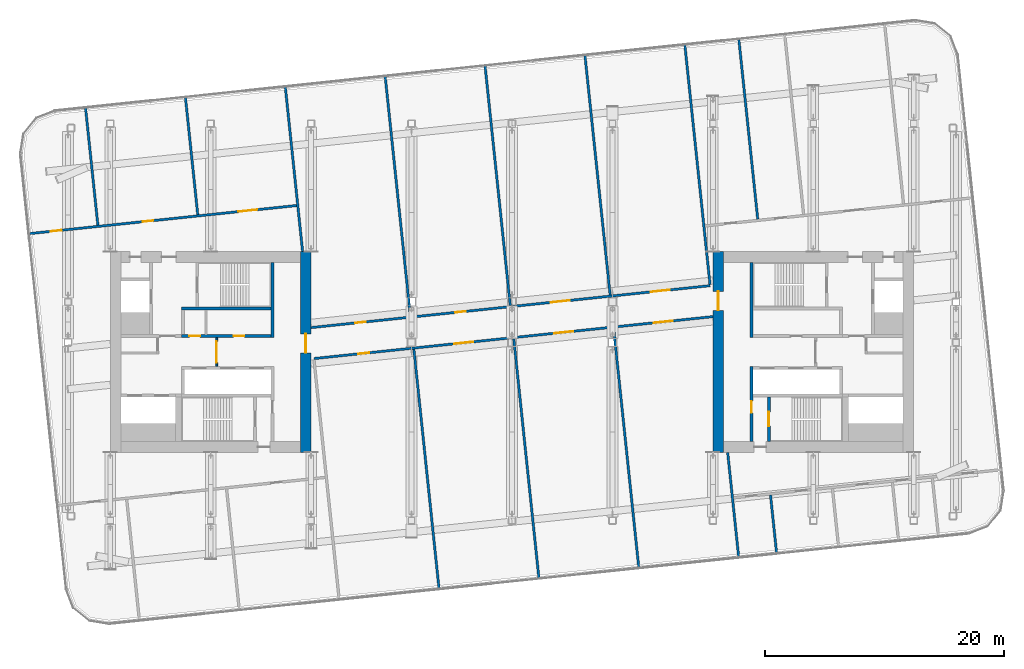
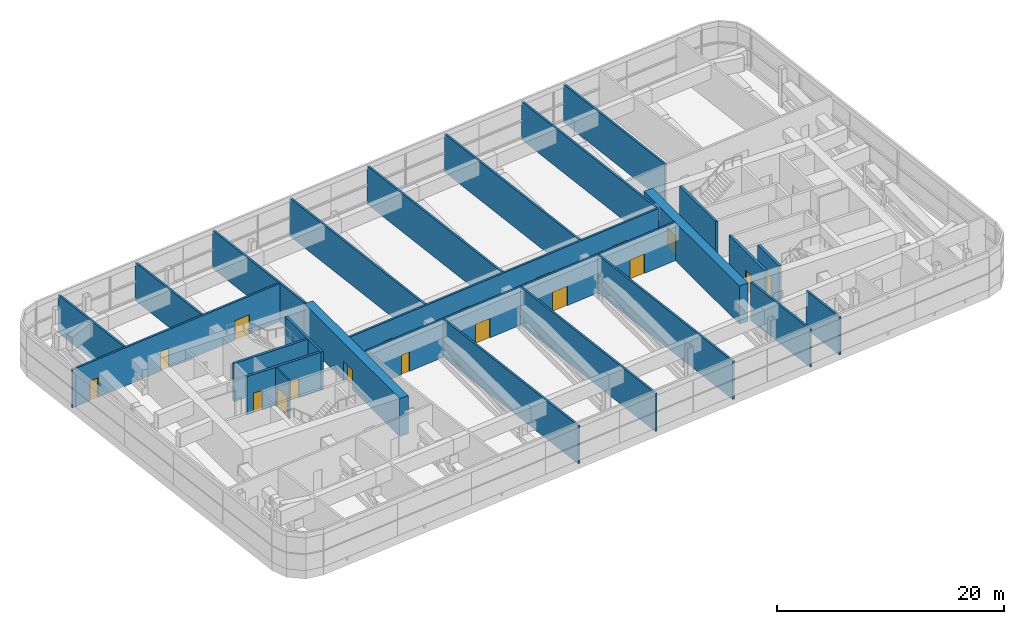
# One storey, part 17 of 33: 25 walls, 18 doors, 18 openings.
"""IFC4 building model written with IfcOpenShell, lengths in metres."""

from ifc_helpers import new_model, si_unit, direction, frame, frame_2d, origin, place, context, subcontext, project, spatial, rectangle, extrude, material, layer, layer_set, type_object, element, fill, save


model = new_model("IFC4")

# Units and contexts
model_context = context("Model", 3, precision=1e-05, world=origin(), true_north=direction((0.0, 1.0)))
body_context = subcontext(model_context, "Body", "Model", "MODEL_VIEW")
ifc_project = project(units=[si_unit("LENGTHUNIT", "METRE"), si_unit("AREAUNIT", "SQUARE_METRE"), si_unit("VOLUMEUNIT", "CUBIC_METRE"), si_unit("PLANEANGLEUNIT", "RADIAN"), si_unit("MASSUNIT", "GRAM", prefix="KILO")], contexts=[model_context])

# Site, building, storey
site_placement = place(None, origin())
site = spatial("IfcSite", under=ifc_project, at=site_placement, CompositionType="ELEMENT")
building_placement = place(site_placement, origin())
building = spatial("IfcBuilding", under=site, at=building_placement, Name="Hakoniwa Tower and Hamabe Station Hall", CompositionType="ELEMENT")
storey_placement = place(building_placement, frame((0.0, 0.0, 228.199951171875)))
storey = spatial("IfcBuildingStorey", under=building, at=storey_placement, Name="L65", CompositionType="ELEMENT", Elevation=228.199951171875)

# Wall, opening, door
ifc_material_1 = material(Name="Gypsum board partition")
ifc_layer_1 = layer(ifc_material_1, 0.14990234375)
ifc_layer_set_1 = layer_set([ifc_layer_1], Name="CORE PARTITION 150 EI 60")
wall_type_1 = type_object("IfcWallType", Name="CORE PARTITION 150 EI 60", PredefinedType="PARTITIONING", material=ifc_layer_set_1)
wall_1_placement = place(storey_placement, frame((-24.699951171875, -1.199951171875, 0.0), z_axis=(0.0, 0.0, 1.0), x_axis=(0.0, 1.0, 0.0)))
wall_1 = element("IfcWall", 1, at=wall_1_placement, inside=storey, type_object=wall_type_1, Name="Core partition PL0 west", PredefinedType="PARTITIONING", context=body_context, shape_type="SweptSolid", body=[
    extrude(rectangle(XDim=2.39990234375, YDim=0.14990234375, at=frame_2d((1.199951171875, 0.0))), origin(), (0.0, 0.0, 1.0), 4.10009765625),
])
opening_1_placement = place(wall_1_placement, frame((0.300048828125, 0.0, 0.0)))
opening_1 = element("IfcOpeningElement", 2, at=opening_1_placement, cuts=wall_1, Name="Opening CD-W-LP0-18", PredefinedType="OPENING", context=body_context, shape_type="SweptSolid", body=[
    extrude(rectangle(XDim=1.800048828125, YDim=2.10009765625, at=frame_2d((0.89990234375, 1.050048828125))), frame((0.0, 0.0849609375, 0.0), z_axis=(0.0, -1.0, 0.0), x_axis=(1.0, 0.0, 0.0)), (0.0, 0.0, 1.0), 0.169921875),
])
ifc_material_2 = material(Name="Steel fire door", Category="steel")
door_type_1 = type_object("IfcDoorType", Name="CORE DOOR 1800 FD60", OperationType="DOUBLE_DOOR_SINGLE_SWING", PredefinedType="DOOR", material=ifc_material_2)
door_1_placement = place(opening_1_placement, origin())
door_1 = element("IfcDoor", 3, at=door_1_placement, inside=storey, type_object=door_type_1, Name="Lift lobby partition door", OperationType="DOUBLE_DOOR_SINGLE_SWING", OverallHeight=2.10009765625, OverallWidth=1.800048828125, PredefinedType="DOOR", context=body_context, shape_type="SweptSolid", body=[
    extrude(rectangle(XDim=1.800048828125, YDim=2.10009765625, at=frame_2d((0.89990234375, 1.050048828125))), frame((0.0, 0.02490234375, 0.0), z_axis=(0.0, -1.0, 0.0), x_axis=(1.0, 0.0, 0.0)), (0.0, 0.0, 1.0), 0.050048828125),
])
fill(opening_1, door_1)

ifc_material_3 = material(Name="Concrete C60", Category="concrete")
ifc_layer_2 = layer(ifc_material_3, 0.89990234375)
ifc_layer_set_2 = layer_set([ifc_layer_2], Name="CORE WALL 900 C60")
wall_type_2 = type_object("IfcWallType", Name="CORE WALL 900 C60", PredefinedType="SHEAR", material=ifc_layer_set_2)
wall_2_placement = place(storey_placement, frame((-17.25, -8.39990234375, 0.0), z_axis=(0.0, 0.0, 1.0), x_axis=(0.0, 1.0, 0.0)))
wall_2 = element("IfcWall", 4, at=wall_2_placement, inside=storey, type_object=wall_type_2, Name="Core wall INNER west", PredefinedType="SHEAR", context=body_context, shape_type="SweptSolid", body=[
    extrude(rectangle(XDim=16.7998046875, YDim=0.89990234375, at=frame_2d((8.39990234375, 0.0))), origin(), (0.0, 0.0, 1.0), 4.10009765625),
])
opening_2_placement = place(wall_2_placement, frame((8.321044921875, 0.0, 0.0)))
opening_2 = element("IfcOpeningElement", 5, at=opening_2_placement, cuts=wall_2, Name="Opening CD-W-IN1-16", PredefinedType="OPENING", context=body_context, shape_type="SweptSolid", body=[
    extrude(rectangle(XDim=1.60009765625, YDim=2.10009765625, at=frame_2d((0.800048828125, 1.050048828125))), frame((0.0, 0.4599609375, 0.0), z_axis=(0.0, -1.0, 0.0), x_axis=(1.0, 0.0, 0.0)), (0.0, 0.0, 1.0), 0.919921875),
])
ifc_material_4 = material(Name="Steel fire door", Category="steel")
door_type_2 = type_object("IfcDoorType", Name="CORE DOOR 1600 FD60", OperationType="DOUBLE_DOOR_SINGLE_SWING", PredefinedType="DOOR", material=ifc_material_4)
door_2_placement = place(opening_2_placement, origin())
door_2 = element("IfcDoor", 6, at=door_2_placement, inside=storey, type_object=door_type_2, Name="Lift lobby door", OperationType="DOUBLE_DOOR_SINGLE_SWING", OverallHeight=2.10009765625, OverallWidth=1.60009765625, PredefinedType="DOOR", context=body_context, shape_type="SweptSolid", body=[
    extrude(rectangle(XDim=1.60009765625, YDim=2.10009765625, at=frame_2d((0.800048828125, 1.050048828125))), frame((0.0, 0.02490234375, 0.0), z_axis=(0.0, -1.0, 0.0), x_axis=(1.0, 0.0, 0.0)), (0.0, 0.0, 1.0), 0.050048828125),
])
fill(opening_2, door_2)

wall_3_placement = place(storey_placement, frame((17.25, -8.39990234375, 0.0), z_axis=(0.0, 0.0, 1.0), x_axis=(0.0, 1.0, 0.0)))
wall_3 = element("IfcWall", 7, at=wall_3_placement, inside=storey, type_object=wall_type_2, Name="Core wall INNER east", PredefinedType="SHEAR", context=body_context, shape_type="SweptSolid", body=[
    extrude(rectangle(XDim=16.7998046875, YDim=0.89990234375, at=frame_2d((8.39990234375, 0.0))), origin(), (0.0, 0.0, 1.0), 4.10009765625),
])
opening_3_placement = place(wall_3_placement, frame((11.87890625, 0.0, 0.0)))
opening_3 = element("IfcOpeningElement", 8, at=opening_3_placement, cuts=wall_3, Name="Opening CD-E-IN1-16", PredefinedType="OPENING", context=body_context, shape_type="SweptSolid", body=[
    extrude(rectangle(XDim=1.60009765625, YDim=2.10009765625, at=frame_2d((0.800048828125, 1.050048828125))), frame((0.0, 0.4599609375, 0.0), z_axis=(0.0, -1.0, 0.0), x_axis=(1.0, 0.0, 0.0)), (0.0, 0.0, 1.0), 0.919921875),
])
door_3_placement = place(opening_3_placement, origin())
door_3 = element("IfcDoor", 9, at=door_3_placement, inside=storey, type_object=door_type_2, Name="Lift lobby door", OperationType="DOUBLE_DOOR_SINGLE_SWING", OverallHeight=2.10009765625, OverallWidth=1.60009765625, PredefinedType="DOOR", context=body_context, shape_type="SweptSolid", body=[
    extrude(rectangle(XDim=1.60009765625, YDim=2.10009765625, at=frame_2d((0.800048828125, 1.050048828125))), frame((0.0, 0.02490234375, 0.0), z_axis=(0.0, -1.0, 0.0), x_axis=(1.0, 0.0, 0.0)), (0.0, 0.0, 1.0), 0.050048828125),
])
fill(opening_3, door_3)

# Wall
ifc_material_5 = material(Name="Concrete C60", Category="concrete")
ifc_layer_3 = layer(ifc_material_5, 0.25)
ifc_layer_set_3 = layer_set([ifc_layer_3], Name="CORE WEB WALL 250 C60")
wall_type_3 = type_object("IfcWallType", Name="CORE WEB WALL 250 C60", PredefinedType="SHEAR", material=ifc_layer_set_3)
wall_4_placement = place(storey_placement, frame((-20.02490234375, 1.199951171875, 0.0), z_axis=(0.0, 0.0, 1.0), x_axis=(0.0, 1.0, 0.0)))
element("IfcWall", 10, at=wall_4_placement, inside=storey, type_object=wall_type_3, Name="Core wall W1N west", PredefinedType="SHEAR", context=body_context, shape_type="SweptSolid", body=[
    extrude(rectangle(XDim=6.300048828125, YDim=0.25, at=frame_2d((3.14990234375, 0.0))), origin(), (0.0, 0.0, 1.0), 4.10009765625),
])

# Wall, openings, doors
wall_5_placement = place(storey_placement, frame((-27.64990234375, 1.324951171875, 0.0), z_axis=(0.0, 0.0, 1.0), x_axis=(1.0, 0.0, 0.0)))
wall_5 = element("IfcWall", 11, at=wall_5_placement, inside=storey, type_object=wall_type_3, Name="Core wall NF west", PredefinedType="SHEAR", context=body_context, shape_type="SweptSolid", body=[
    extrude(rectangle(XDim=7.5, YDim=0.25, at=frame_2d((3.75, 0.0))), origin(), (0.0, 0.0, 1.0), 4.10009765625),
])
opening_4_placement = place(wall_5_placement, frame((4.362548828125, 0.0, 0.0)))
opening_4 = element("IfcOpeningElement", 12, at=opening_4_placement, cuts=wall_5, Name="Opening CD-W-FRLR0-9", PredefinedType="OPENING", context=body_context, shape_type="SweptSolid", body=[
    extrude(rectangle(XDim=0.89990234375, YDim=2.10009765625, at=frame_2d((0.449951171875, 1.050048828125))), frame((0.0, 0.135009765625, 0.0), z_axis=(0.0, -1.0, 0.0), x_axis=(1.0, 0.0, 0.0)), (0.0, 0.0, 1.0), 0.27001953125),
])
opening_5_placement = place(wall_5_placement, frame((0.66259765625, 0.0, 0.0)))
opening_5 = element("IfcOpeningElement", 13, at=opening_5_placement, cuts=wall_5, Name="Opening CD-W-FRLR1-9", PredefinedType="OPENING", context=body_context, shape_type="SweptSolid", body=[
    extrude(rectangle(XDim=0.89990234375, YDim=2.10009765625, at=frame_2d((0.449951171875, 1.050048828125))), frame((0.0, 0.135009765625, 0.0), z_axis=(0.0, -1.0, 0.0), x_axis=(1.0, 0.0, 0.0)), (0.0, 0.0, 1.0), 0.27001953125),
])
ifc_material_6 = material(Name="Steel fire door", Category="steel")
door_type_3 = type_object("IfcDoorType", Name="CORE DOOR 900 FD30", OperationType="NOTDEFINED", PredefinedType="DOOR", material=ifc_material_6)
door_4_placement = place(opening_4_placement, origin())
door_4 = element("IfcDoor", 14, at=door_4_placement, inside=storey, type_object=door_type_3, Name="Store room door", OperationType="SINGLE_SWING_LEFT", OverallHeight=2.10009765625, OverallWidth=0.89990234375, PredefinedType="DOOR", context=body_context, shape_type="SweptSolid", body=[
    extrude(rectangle(XDim=0.89990234375, YDim=2.10009765625, at=frame_2d((0.449951171875, 1.050048828125))), frame((0.0, 0.02490234375, 0.0), z_axis=(0.0, -1.0, 0.0), x_axis=(1.0, 0.0, 0.0)), (0.0, 0.0, 1.0), 0.050048828125),
])
fill(opening_4, door_4)
door_5_placement = place(opening_5_placement, origin())
door_5 = element("IfcDoor", 15, at=door_5_placement, inside=storey, type_object=door_type_3, Name="Store room door", OperationType="SINGLE_SWING_RIGHT", OverallHeight=2.10009765625, OverallWidth=0.89990234375, PredefinedType="DOOR", context=body_context, shape_type="SweptSolid", body=[
    extrude(rectangle(XDim=0.89990234375, YDim=2.10009765625, at=frame_2d((0.449951171875, 1.050048828125))), frame((0.0, 0.02490234375, 0.0), z_axis=(0.0, -1.0, 0.0), x_axis=(1.0, 0.0, 0.0)), (0.0, 0.0, 1.0), 0.050048828125),
])
fill(opening_5, door_5)

# Walls
wall_6_placement = place(storey_placement, frame((-27.64990234375, 3.625, 0.0), z_axis=(0.0, 0.0, 1.0), x_axis=(1.0, 0.0, 0.0)))
element("IfcWall", 16, at=wall_6_placement, inside=storey, type_object=wall_type_3, Name="Core wall NR west", PredefinedType="SHEAR", context=body_context, shape_type="SweptSolid", body=[
    extrude(rectangle(XDim=7.5, YDim=0.25, at=frame_2d((3.75, 0.0))), origin(), (0.0, 0.0, 1.0), 4.10009765625),
])
wall_7_placement = place(storey_placement, frame((20.02490234375, 1.199951171875, 0.0), z_axis=(0.0, 0.0, 1.0), x_axis=(0.0, 1.0, 0.0)))
element("IfcWall", 17, at=wall_7_placement, inside=storey, type_object=wall_type_3, Name="Core wall W1N east", PredefinedType="SHEAR", context=body_context, shape_type="SweptSolid", body=[
    extrude(rectangle(XDim=6.300048828125, YDim=0.25, at=frame_2d((3.14990234375, 0.0))), origin(), (0.0, 0.0, 1.0), 4.10009765625),
])

# Wall, opening, door
wall_8_placement = place(storey_placement, frame((20.02490234375, -7.5, 0.0), z_axis=(0.0, 0.0, 1.0), x_axis=(0.0, 1.0, 0.0)))
wall_8 = element("IfcWall", 18, at=wall_8_placement, inside=storey, type_object=wall_type_3, Name="Core wall W1S east", PredefinedType="SHEAR", context=body_context, shape_type="SweptSolid", body=[
    extrude(rectangle(XDim=6.300048828125, YDim=0.25, at=frame_2d((3.14990234375, 0.0))), origin(), (0.0, 0.0, 1.0), 4.10009765625),
])
opening_6_placement = place(wall_8_placement, frame((2.39990234375, 0.0, 0.0)))
opening_6 = element("IfcOpeningElement", 19, at=opening_6_placement, cuts=wall_8, Name="Opening CD-E-VS-10", PredefinedType="OPENING", context=body_context, shape_type="SweptSolid", body=[
    extrude(rectangle(XDim=1.0, YDim=2.10009765625, at=frame_2d((0.5, 1.050048828125))), frame((0.0, 0.135009765625, 0.0), z_axis=(0.0, -1.0, 0.0), x_axis=(1.0, 0.0, 0.0)), (0.0, 0.0, 1.0), 0.27001953125),
])
ifc_material_7 = material(Name="Steel fire door", Category="steel")
door_type_4 = type_object("IfcDoorType", Name="CORE DOOR 1000 FD60", OperationType="NOTDEFINED", PredefinedType="DOOR", material=ifc_material_7)
door_6_placement = place(opening_6_placement, origin())
door_6 = element("IfcDoor", 20, at=door_6_placement, inside=storey, type_object=door_type_4, Name="Stair vestibule door", OperationType="SINGLE_SWING_RIGHT", OverallHeight=2.10009765625, OverallWidth=1.0, PredefinedType="DOOR", context=body_context, shape_type="SweptSolid", body=[
    extrude(rectangle(XDim=1.0, YDim=2.10009765625, at=frame_2d((0.5, 1.050048828125))), frame((0.0, 0.02490234375, 0.0), z_axis=(0.0, -1.0, 0.0), x_axis=(1.0, 0.0, 0.0)), (0.0, 0.0, 1.0), 0.050048828125),
])
fill(opening_6, door_6)

wall_9_placement = place(storey_placement, frame((21.47509765625, -7.5, 0.0), z_axis=(0.0, 0.0, 1.0), x_axis=(0.0, 1.0, 0.0)))
wall_9 = element("IfcWall", 21, at=wall_9_placement, inside=storey, type_object=wall_type_3, Name="Core wall VE east", PredefinedType="SHEAR", context=body_context, shape_type="SweptSolid", body=[
    extrude(rectangle(XDim=3.75, YDim=0.25, at=frame_2d((1.875, 0.0))), origin(), (0.0, 0.0, 1.0), 4.10009765625),
])
opening_7_placement = place(wall_9_placement, frame((1.300048828125, 0.0, 0.0)))
opening_7 = element("IfcOpeningElement", 22, at=opening_7_placement, cuts=wall_9, Name="Opening CD-E-SS-12", PredefinedType="OPENING", context=body_context, shape_type="SweptSolid", body=[
    extrude(rectangle(XDim=1.199951171875, YDim=2.10009765625, at=frame_2d((0.60009765625, 1.050048828125))), frame((0.0, 0.135009765625, 0.0), z_axis=(0.0, -1.0, 0.0), x_axis=(1.0, 0.0, 0.0)), (0.0, 0.0, 1.0), 0.27001953125),
])
ifc_material_8 = material(Name="Steel fire door", Category="steel")
door_type_5 = type_object("IfcDoorType", Name="CORE DOOR 1200 FD60", OperationType="DOUBLE_DOOR_SINGLE_SWING", PredefinedType="DOOR", material=ifc_material_8)
door_7_placement = place(opening_7_placement, origin())
door_7 = element("IfcDoor", 23, at=door_7_placement, inside=storey, type_object=door_type_5, Name="Escape stair door", OperationType="DOUBLE_DOOR_SINGLE_SWING", OverallHeight=2.10009765625, OverallWidth=1.199951171875, PredefinedType="DOOR", context=body_context, shape_type="SweptSolid", body=[
    extrude(rectangle(XDim=1.199951171875, YDim=2.10009765625, at=frame_2d((0.60009765625, 1.050048828125))), frame((0.0, 0.02490234375, 0.0), z_axis=(0.0, -1.0, 0.0), x_axis=(1.0, 0.0, 0.0)), (0.0, 0.0, 1.0), 0.050048828125),
])
fill(opening_7, door_7)

# Wall, openings, doors
ifc_material_9 = material(Name="Fire-rated gypsum board partition", Category="gypsum")
ifc_layer_4 = layer(ifc_material_9, 0.199951171875)
ifc_layer_set_4 = layer_set([ifc_layer_4], Name="Corridor Wall 200")
wall_type_4 = type_object("IfcWallType", Name="Corridor Wall 200", PredefinedType="PARTITIONING", material=ifc_layer_set_4)
wall_10_placement = place(storey_placement, frame((-16.572021484375, -0.549072265625, 0.0), z_axis=(0.0, 0.0, 1.0), x_axis=(0.994521146831, 0.104535584879, 0.0)))
wall_10 = element("IfcWall", 24, at=wall_10_placement, inside=storey, type_object=wall_type_4, Name="GW-L65-003", PredefinedType="PARTITIONING", context=body_context, shape_type="SweptSolid", body=[
    extrude(rectangle(XDim=33.560791015625, YDim=0.199951171875, at=frame_2d((16.7802734375, 0.0))), origin(), (0.0, 0.0, 1.0), 4.10009765625),
])
opening_8_placement = place(wall_10_placement, frame((3.75, 0.0, 0.0)))
opening_8 = element("IfcOpeningElement", 25, at=opening_8_placement, cuts=wall_10, Name="Opening GD-SL65-09", PredefinedType="OPENING", context=body_context, shape_type="SweptSolid", body=[
    extrude(rectangle(XDim=0.89990234375, YDim=2.10009765625, at=frame_2d((0.449951171875, 1.050048828125))), frame((0.0, 0.10986328125, 0.0), z_axis=(0.0, -1.0, 0.0), x_axis=(1.0, 0.0, 0.0)), (0.0, 0.0, 1.0), 0.219970703125),
])
opening_9_placement = place(wall_10_placement, frame((11.800048828125, 0.0, 0.0)))
opening_9 = element("IfcOpeningElement", 26, at=opening_9_placement, cuts=wall_10, Name="Opening GD-SL65-10", PredefinedType="OPENING", context=body_context, shape_type="SweptSolid", body=[
    extrude(rectangle(XDim=1.60009765625, YDim=2.10009765625, at=frame_2d((0.800048828125, 1.050048828125))), frame((0.0, 0.10986328125, 0.0), z_axis=(0.0, -1.0, 0.0), x_axis=(1.0, 0.0, 0.0)), (0.0, 0.0, 1.0), 0.219970703125),
])
opening_10_placement = place(wall_10_placement, frame((20.199951171875, 0.0, 0.0)))
opening_10 = element("IfcOpeningElement", 27, at=opening_10_placement, cuts=wall_10, Name="Opening GD-SL65-11", PredefinedType="OPENING", context=body_context, shape_type="SweptSolid", body=[
    extrude(rectangle(XDim=1.60009765625, YDim=2.10009765625, at=frame_2d((0.800048828125, 1.050048828125))), frame((0.0, 0.10986328125, 0.0), z_axis=(0.0, -1.0, 0.0), x_axis=(1.0, 0.0, 0.0)), (0.0, 0.0, 1.0), 0.219970703125),
])
opening_11_placement = place(wall_10_placement, frame((28.60009765625, 0.0, 0.0)))
opening_11 = element("IfcOpeningElement", 28, at=opening_11_placement, cuts=wall_10, Name="Opening GD-SL65-12", PredefinedType="OPENING", context=body_context, shape_type="SweptSolid", body=[
    extrude(rectangle(XDim=1.60009765625, YDim=2.10009765625, at=frame_2d((0.800048828125, 1.050048828125))), frame((0.0, 0.10986328125, 0.0), z_axis=(0.0, -1.0, 0.0), x_axis=(1.0, 0.0, 0.0)), (0.0, 0.0, 1.0), 0.219970703125),
])
ifc_material_10 = material(Name="Timber door leaf", Category="wood")
door_type_6 = type_object("IfcDoorType", Name="Double Door 1600", OperationType="DOUBLE_DOOR_SINGLE_SWING", PredefinedType="DOOR", material=ifc_material_10)
door_8_placement = place(opening_9_placement, origin())
door_8 = element("IfcDoor", 29, at=door_8_placement, inside=storey, type_object=door_type_6, Name="Door GD-SL65-10", OperationType="DOUBLE_DOOR_SINGLE_SWING", OverallHeight=2.10009765625, OverallWidth=1.60009765625, PredefinedType="DOOR", context=body_context, shape_type="SweptSolid", body=[
    extrude(rectangle(XDim=1.60009765625, YDim=2.10009765625, at=frame_2d((0.800048828125, 1.050048828125))), frame((0.0, 0.02490234375, 0.0), z_axis=(0.0, -1.0, 0.0), x_axis=(1.0, 0.0, 0.0)), (0.0, 0.0, 1.0), 0.050048828125),
])
fill(opening_9, door_8)
door_9_placement = place(opening_10_placement, origin())
door_9 = element("IfcDoor", 30, at=door_9_placement, inside=storey, type_object=door_type_6, Name="Door GD-SL65-11", OperationType="DOUBLE_DOOR_SINGLE_SWING", OverallHeight=2.10009765625, OverallWidth=1.60009765625, PredefinedType="DOOR", context=body_context, shape_type="SweptSolid", body=[
    extrude(rectangle(XDim=1.60009765625, YDim=2.10009765625, at=frame_2d((0.800048828125, 1.050048828125))), frame((0.0, 0.02490234375, 0.0), z_axis=(0.0, -1.0, 0.0), x_axis=(1.0, 0.0, 0.0)), (0.0, 0.0, 1.0), 0.050048828125),
])
fill(opening_10, door_9)
door_10_placement = place(opening_11_placement, origin())
door_10 = element("IfcDoor", 31, at=door_10_placement, inside=storey, type_object=door_type_6, Name="Door GD-SL65-12", OperationType="DOUBLE_DOOR_SINGLE_SWING", OverallHeight=2.10009765625, OverallWidth=1.60009765625, PredefinedType="DOOR", context=body_context, shape_type="SweptSolid", body=[
    extrude(rectangle(XDim=1.60009765625, YDim=2.10009765625, at=frame_2d((0.800048828125, 1.050048828125))), frame((0.0, 0.02490234375, 0.0), z_axis=(0.0, -1.0, 0.0), x_axis=(1.0, 0.0, 0.0)), (0.0, 0.0, 1.0), 0.050048828125),
])
fill(opening_11, door_10)
ifc_material_11 = material(Name="Timber door leaf", Category="wood")
door_type_7 = type_object("IfcDoorType", Name="Service Door 900", OperationType="SINGLE_SWING_LEFT", PredefinedType="DOOR", material=ifc_material_11)
door_11_placement = place(opening_8_placement, origin())
door_11 = element("IfcDoor", 32, at=door_11_placement, inside=storey, type_object=door_type_7, Name="Door GD-SL65-09", OperationType="SINGLE_SWING_LEFT", OverallHeight=2.10009765625, OverallWidth=0.89990234375, PredefinedType="DOOR", context=body_context, shape_type="SweptSolid", body=[
    extrude(rectangle(XDim=0.89990234375, YDim=2.10009765625, at=frame_2d((0.449951171875, 1.050048828125))), frame((0.0, 0.02490234375, 0.0), z_axis=(0.0, -1.0, 0.0), x_axis=(1.0, 0.0, 0.0)), (0.0, 0.0, 1.0), 0.050048828125),
])
fill(opening_8, door_11)

wall_11_placement = place(storey_placement, frame((-16.804931640625, 2.040771484375, 0.0), z_axis=(0.0, 0.0, 1.0), x_axis=(0.994521146831, 0.104535584879, 0.0)))
wall_11 = element("IfcWall", 33, at=wall_11_placement, inside=storey, type_object=wall_type_4, Name="GW-L65-004", PredefinedType="PARTITIONING", context=body_context, shape_type="SweptSolid", body=[
    extrude(rectangle(XDim=33.560791015625, YDim=0.199951171875, at=frame_2d((16.7802734375, 0.0))), origin(), (0.0, 0.0, 1.0), 4.10009765625),
])
opening_12_placement = place(wall_11_placement, frame((3.7109375, 0.0, 0.0)))
opening_12 = element("IfcOpeningElement", 34, at=opening_12_placement, cuts=wall_11, Name="Opening GD-SL65-13", PredefinedType="OPENING", context=body_context, shape_type="SweptSolid", body=[
    extrude(rectangle(XDim=0.89990234375, YDim=2.10009765625, at=frame_2d((0.449951171875, 1.050048828125))), frame((0.0, 0.10986328125, 0.0), z_axis=(0.0, -1.0, 0.0), x_axis=(1.0, 0.0, 0.0)), (0.0, 0.0, 1.0), 0.219970703125),
])
opening_13_placement = place(wall_11_placement, frame((12.11083984375, 0.0, 0.0)))
opening_13 = element("IfcOpeningElement", 35, at=opening_13_placement, cuts=wall_11, Name="Opening GD-SL65-14", PredefinedType="OPENING", context=body_context, shape_type="SweptSolid", body=[
    extrude(rectangle(XDim=0.89990234375, YDim=2.10009765625, at=frame_2d((0.449951171875, 1.050048828125))), frame((0.0, 0.10986328125, 0.0), z_axis=(0.0, -1.0, 0.0), x_axis=(1.0, 0.0, 0.0)), (0.0, 0.0, 1.0), 0.219970703125),
])
opening_14_placement = place(wall_11_placement, frame((20.160888671875, 0.0, 0.0)))
opening_14 = element("IfcOpeningElement", 36, at=opening_14_placement, cuts=wall_11, Name="Opening GD-SL65-15", PredefinedType="OPENING", context=body_context, shape_type="SweptSolid", body=[
    extrude(rectangle(XDim=1.60009765625, YDim=2.10009765625, at=frame_2d((0.800048828125, 1.050048828125))), frame((0.0, 0.10986328125, 0.0), z_axis=(0.0, -1.0, 0.0), x_axis=(1.0, 0.0, 0.0)), (0.0, 0.0, 1.0), 0.219970703125),
])
opening_15_placement = place(wall_11_placement, frame((28.560791015625, 0.0, 0.0)))
opening_15 = element("IfcOpeningElement", 37, at=opening_15_placement, cuts=wall_11, Name="Opening GD-SL65-16", PredefinedType="OPENING", context=body_context, shape_type="SweptSolid", body=[
    extrude(rectangle(XDim=1.60009765625, YDim=2.10009765625, at=frame_2d((0.800048828125, 1.050048828125))), frame((0.0, 0.10986328125, 0.0), z_axis=(0.0, -1.0, 0.0), x_axis=(1.0, 0.0, 0.0)), (0.0, 0.0, 1.0), 0.219970703125),
])
door_12_placement = place(opening_14_placement, origin())
door_12 = element("IfcDoor", 38, at=door_12_placement, inside=storey, type_object=door_type_6, Name="Door GD-SL65-15", OperationType="DOUBLE_DOOR_SINGLE_SWING", OverallHeight=2.10009765625, OverallWidth=1.60009765625, PredefinedType="DOOR", context=body_context, shape_type="SweptSolid", body=[
    extrude(rectangle(XDim=1.60009765625, YDim=2.10009765625, at=frame_2d((0.800048828125, 1.050048828125))), frame((0.0, 0.02490234375, 0.0), z_axis=(0.0, -1.0, 0.0), x_axis=(1.0, 0.0, 0.0)), (0.0, 0.0, 1.0), 0.050048828125),
])
fill(opening_14, door_12)
door_13_placement = place(opening_15_placement, origin())
door_13 = element("IfcDoor", 39, at=door_13_placement, inside=storey, type_object=door_type_6, Name="Door GD-SL65-16", OperationType="DOUBLE_DOOR_SINGLE_SWING", OverallHeight=2.10009765625, OverallWidth=1.60009765625, PredefinedType="DOOR", context=body_context, shape_type="SweptSolid", body=[
    extrude(rectangle(XDim=1.60009765625, YDim=2.10009765625, at=frame_2d((0.800048828125, 1.050048828125))), frame((0.0, 0.02490234375, 0.0), z_axis=(0.0, -1.0, 0.0), x_axis=(1.0, 0.0, 0.0)), (0.0, 0.0, 1.0), 0.050048828125),
])
fill(opening_15, door_13)
door_14_placement = place(opening_12_placement, origin())
door_14 = element("IfcDoor", 40, at=door_14_placement, inside=storey, type_object=door_type_7, Name="Door GD-SL65-13", OperationType="SINGLE_SWING_LEFT", OverallHeight=2.10009765625, OverallWidth=0.89990234375, PredefinedType="DOOR", context=body_context, shape_type="SweptSolid", body=[
    extrude(rectangle(XDim=0.89990234375, YDim=2.10009765625, at=frame_2d((0.449951171875, 1.050048828125))), frame((0.0, 0.02490234375, 0.0), z_axis=(0.0, -1.0, 0.0), x_axis=(1.0, 0.0, 0.0)), (0.0, 0.0, 1.0), 0.050048828125),
])
fill(opening_12, door_14)
door_15_placement = place(opening_13_placement, origin())
door_15 = element("IfcDoor", 41, at=door_15_placement, inside=storey, type_object=door_type_7, Name="Door GD-SL65-14", OperationType="SINGLE_SWING_RIGHT", OverallHeight=2.10009765625, OverallWidth=0.89990234375, PredefinedType="DOOR", context=body_context, shape_type="SweptSolid", body=[
    extrude(rectangle(XDim=0.89990234375, YDim=2.10009765625, at=frame_2d((0.449951171875, 1.050048828125))), frame((0.0, 0.02490234375, 0.0), z_axis=(0.0, -1.0, 0.0), x_axis=(1.0, 0.0, 0.0)), (0.0, 0.0, 1.0), 0.050048828125),
])
fill(opening_13, door_15)

wall_12_placement = place(storey_placement, frame((-40.42919921875, 9.894287109375, 0.0), z_axis=(0.0, 0.0, 1.0), x_axis=(0.994521930025, 0.104528133529, 0.0)))
wall_12 = element("IfcWall", 42, at=wall_12_placement, inside=storey, type_object=wall_type_4, Name="GW-L65-006", PredefinedType="PARTITIONING", context=body_context, shape_type="SweptSolid", body=[
    extrude(rectangle(XDim=22.634765625, YDim=0.199951171875, at=frame_2d((11.3173828125, 0.0))), origin(), (0.0, 0.0, 1.0), 4.10009765625),
])
opening_16_placement = place(wall_12_placement, frame((1.8671875, 0.0, 0.0)))
opening_16 = element("IfcOpeningElement", 43, at=opening_16_placement, cuts=wall_12, Name="Opening GD-SL65-21", PredefinedType="OPENING", context=body_context, shape_type="SweptSolid", body=[
    extrude(rectangle(XDim=0.89990234375, YDim=2.10009765625, at=frame_2d((0.449951171875, 1.050048828125))), frame((0.0, 0.10986328125, 0.0), z_axis=(0.0, -1.0, 0.0), x_axis=(1.0, 0.0, 0.0)), (0.0, 0.0, 1.0), 0.219970703125),
])
opening_17_placement = place(wall_12_placement, frame((9.584716796875, 0.0, 0.0)))
opening_17 = element("IfcOpeningElement", 44, at=opening_17_placement, cuts=wall_12, Name="Opening GD-SL65-22", PredefinedType="OPENING", context=body_context, shape_type="SweptSolid", body=[
    extrude(rectangle(XDim=0.89990234375, YDim=2.10009765625, at=frame_2d((0.449951171875, 1.050048828125))), frame((0.0, 0.10986328125, 0.0), z_axis=(0.0, -1.0, 0.0), x_axis=(1.0, 0.0, 0.0)), (0.0, 0.0, 1.0), 0.219970703125),
])
opening_18_placement = place(wall_12_placement, frame((17.634765625, 0.0, 0.0)))
opening_18 = element("IfcOpeningElement", 45, at=opening_18_placement, cuts=wall_12, Name="Opening GD-SL65-23", PredefinedType="OPENING", context=body_context, shape_type="SweptSolid", body=[
    extrude(rectangle(XDim=1.60009765625, YDim=2.10009765625, at=frame_2d((0.800048828125, 1.050048828125))), frame((0.0, 0.10986328125, 0.0), z_axis=(0.0, -1.0, 0.0), x_axis=(1.0, 0.0, 0.0)), (0.0, 0.0, 1.0), 0.219970703125),
])
door_16_placement = place(opening_18_placement, origin())
door_16 = element("IfcDoor", 46, at=door_16_placement, inside=storey, type_object=door_type_6, Name="Door GD-SL65-23", OperationType="DOUBLE_DOOR_SINGLE_SWING", OverallHeight=2.10009765625, OverallWidth=1.60009765625, PredefinedType="DOOR", context=body_context, shape_type="SweptSolid", body=[
    extrude(rectangle(XDim=1.60009765625, YDim=2.10009765625, at=frame_2d((0.800048828125, 1.050048828125))), frame((0.0, 0.02490234375, 0.0), z_axis=(0.0, -1.0, 0.0), x_axis=(1.0, 0.0, 0.0)), (0.0, 0.0, 1.0), 0.050048828125),
])
fill(opening_18, door_16)
door_17_placement = place(opening_16_placement, origin())
door_17 = element("IfcDoor", 47, at=door_17_placement, inside=storey, type_object=door_type_7, Name="Door GD-SL65-21", OperationType="SINGLE_SWING_RIGHT", OverallHeight=2.10009765625, OverallWidth=0.89990234375, PredefinedType="DOOR", context=body_context, shape_type="SweptSolid", body=[
    extrude(rectangle(XDim=0.89990234375, YDim=2.10009765625, at=frame_2d((0.449951171875, 1.050048828125))), frame((0.0, 0.02490234375, 0.0), z_axis=(0.0, -1.0, 0.0), x_axis=(1.0, 0.0, 0.0)), (0.0, 0.0, 1.0), 0.050048828125),
])
fill(opening_16, door_17)
door_18_placement = place(opening_17_placement, origin())
door_18 = element("IfcDoor", 48, at=door_18_placement, inside=storey, type_object=door_type_7, Name="Door GD-SL65-22", OperationType="SINGLE_SWING_LEFT", OverallHeight=2.10009765625, OverallWidth=0.89990234375, PredefinedType="DOOR", context=body_context, shape_type="SweptSolid", body=[
    extrude(rectangle(XDim=0.89990234375, YDim=2.10009765625, at=frame_2d((0.449951171875, 1.050048828125))), frame((0.0, 0.02490234375, 0.0), z_axis=(0.0, -1.0, 0.0), x_axis=(1.0, 0.0, 0.0)), (0.0, 0.0, 1.0), 0.050048828125),
])
fill(opening_17, door_18)

# Walls
ifc_material_12 = material(Name="Fire-rated gypsum board partition", Category="gypsum")
ifc_layer_5 = layer(ifc_material_12, 0.199951171875)
ifc_layer_set_5 = layer_set([ifc_layer_5], Name="Party Wall 200")
wall_type_5 = type_object("IfcWallType", Name="Party Wall 200", PredefinedType="PARTITIONING", material=ifc_layer_set_5)
for number, where, z_axis, x_axis, name in (
    (49, (-34.63671875, 10.603759765625, 0.0), (0.0, 0.0, 1.0), (-0.104548855045, 0.994519751895, 0.0), "GW-L65-008"),
    (50, (-26.28271484375, 11.481689453125, 0.0), (0.0, 0.0, 1.0), (-0.104548855045, 0.994519751895, 0.0), "GW-L65-010"),
):
    element("IfcWall", number, at=place(storey_placement, frame(where, z_axis=z_axis, x_axis=x_axis)), inside=storey, type_object=wall_type_5, Name=name, PredefinedType="PARTITIONING", context=body_context, shape_type="SweptSolid", body=[
        extrude(rectangle(XDim=9.910400390625, YDim=0.199951171875, at=frame_2d((4.955078125, 0.0))), origin(), (0.0, 0.0, 1.0), 4.10009765625),
    ])
wall_13_placement = place(storey_placement, frame((-17.51220703125, 8.39501953125, 0.0), z_axis=(0.0, 0.0, 1.0), x_axis=(-0.104527492615, 0.994521997387, 0.0)))
element("IfcWall", 51, at=wall_13_placement, inside=storey, type_object=wall_type_5, Name="GW-L65-012", PredefinedType="PARTITIONING", context=body_context, shape_type="SweptSolid", body=[
    extrude(rectangle(XDim=13.897216796875, YDim=0.199951171875, at=frame_2d((6.94873046875, 0.0))), origin(), (0.0, 0.0, 1.0), 4.10009765625),
])
wall_14_placement = place(storey_placement, frame((-6.09716796875, -19.85009765625, 0.0), z_axis=(0.0, 0.0, 1.0), x_axis=(-0.104534347018, 0.994521276944, 0.0)))
element("IfcWall", 52, at=wall_14_placement, inside=storey, type_object=wall_type_5, Name="GW-L65-013", PredefinedType="PARTITIONING", context=body_context, shape_type="SweptSolid", body=[
    extrude(rectangle(XDim=20.1904296875, YDim=0.199951171875, at=frame_2d((10.09521484375, 0.0))), origin(), (0.0, 0.0, 1.0), 4.10009765625),
])
wall_15_placement = place(storey_placement, frame((-8.500244140625, 3.014404296875, 0.0), z_axis=(0.0, 0.0, 1.0), x_axis=(-0.104535604125, 0.994521144808, 0.0)))
element("IfcWall", 53, at=wall_15_placement, inside=storey, type_object=wall_type_5, Name="GW-L65-014", PredefinedType="PARTITIONING", context=body_context, shape_type="SweptSolid", body=[
    extrude(rectangle(XDim=20.190185546875, YDim=0.199951171875, at=frame_2d((10.09521484375, 0.0))), origin(), (0.0, 0.0, 1.0), 4.10009765625),
])
for number, where, z_axis, x_axis, name in (
    (54, (2.2568359375, -18.97216796875, 0.0), (0.0, 0.0, 1.0), (-0.104534347018, 0.994521276944, 0.0), "GW-L65-015"),
    (55, (-0.146240234375, 3.892333984375, 0.0), (0.0, 0.0, 1.0), (-0.104534347018, 0.994521276944, 0.0), "GW-L65-016"),
):
    element("IfcWall", number, at=place(storey_placement, frame(where, z_axis=z_axis, x_axis=x_axis)), inside=storey, type_object=wall_type_5, Name=name, PredefinedType="PARTITIONING", context=body_context, shape_type="SweptSolid", body=[
        extrude(rectangle(XDim=20.1904296875, YDim=0.199951171875, at=frame_2d((10.09521484375, 0.0))), origin(), (0.0, 0.0, 1.0), 4.10009765625),
    ])
wall_16_placement = place(storey_placement, frame((10.61083984375, -18.093994140625, 0.0), z_axis=(0.0, 0.0, 1.0), x_axis=(-0.104535604125, 0.994521144808, 0.0)))
element("IfcWall", 56, at=wall_16_placement, inside=storey, type_object=wall_type_5, Name="GW-L65-017", PredefinedType="PARTITIONING", context=body_context, shape_type="SweptSolid", body=[
    extrude(rectangle(XDim=20.190185546875, YDim=0.199951171875, at=frame_2d((10.09521484375, 0.0))), origin(), (0.0, 0.0, 1.0), 4.10009765625),
])
wall_17_placement = place(storey_placement, frame((8.207763671875, 4.770263671875, 0.0), z_axis=(0.0, 0.0, 1.0), x_axis=(-0.104534347018, 0.994521276944, 0.0)))
element("IfcWall", 57, at=wall_17_placement, inside=storey, type_object=wall_type_5, Name="GW-L65-018", PredefinedType="PARTITIONING", context=body_context, shape_type="SweptSolid", body=[
    extrude(rectangle(XDim=20.1904296875, YDim=0.199951171875, at=frame_2d((10.09521484375, 0.0))), origin(), (0.0, 0.0, 1.0), 4.10009765625),
])
wall_18_placement = place(storey_placement, frame((18.96484375, -17.216064453125, 0.0), z_axis=(0.0, 0.0, 1.0), x_axis=(-0.104541500485, 0.994520525015, 0.0)))
element("IfcWall", 58, at=wall_18_placement, inside=storey, type_object=wall_type_5, Name="GW-L65-019", PredefinedType="PARTITIONING", context=body_context, shape_type="SweptSolid", body=[
    extrude(rectangle(XDim=8.86962890625, YDim=0.199951171875, at=frame_2d((4.434814453125, 0.0))), origin(), (0.0, 0.0, 1.0), 4.10009765625),
])
wall_19_placement = place(storey_placement, frame((16.5615234375, 5.6484375, 0.0), z_axis=(0.0, 0.0, 1.0), x_axis=(-0.104522387243, 0.994522533965, 0.0)))
element("IfcWall", 59, at=wall_19_placement, inside=storey, type_object=wall_type_5, Name="GW-L65-020", PredefinedType="PARTITIONING", context=body_context, shape_type="SweptSolid", body=[
    extrude(rectangle(XDim=20.1904296875, YDim=0.199951171875, at=frame_2d((10.09521484375, 0.0))), origin(), (0.0, 0.0, 1.0), 4.10009765625),
])
wall_20_placement = place(storey_placement, frame((22.13720703125, -16.882568359375, 0.0), z_axis=(0.0, 0.0, 1.0), x_axis=(-0.104520067226, 0.994522777792, 0.0)))
element("IfcWall", 60, at=wall_20_placement, inside=storey, type_object=wall_type_5, Name="GW-L65-021", PredefinedType="PARTITIONING", context=body_context, shape_type="SweptSolid", body=[
    extrude(rectangle(XDim=4.93798828125, YDim=0.199951171875, at=frame_2d((2.468994140625, 0.0))), origin(), (0.0, 0.0, 1.0), 4.10009765625),
])
wall_21_placement = place(storey_placement, frame((20.552978515625, 11.107177734375, 0.0), z_axis=(0.0, 0.0, 1.0), x_axis=(-0.104531564235, 0.994521569439, 0.0)))
element("IfcWall", 61, at=wall_21_placement, inside=storey, type_object=wall_type_5, Name="GW-L65-022", PredefinedType="PARTITIONING", context=body_context, shape_type="SweptSolid", body=[
    extrude(rectangle(XDim=15.178955078125, YDim=0.199951171875, at=frame_2d((7.58935546875, 0.0))), origin(), (0.0, 0.0, 1.0), 4.10009765625),
])

save(model, "model.ifc")
